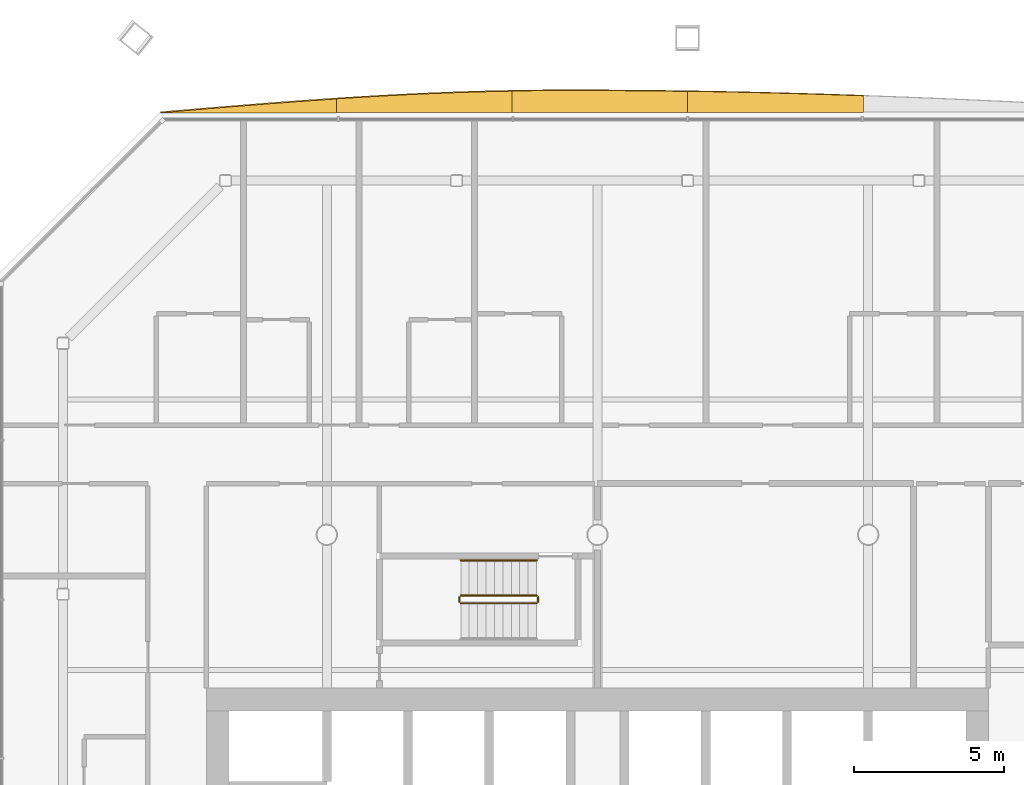
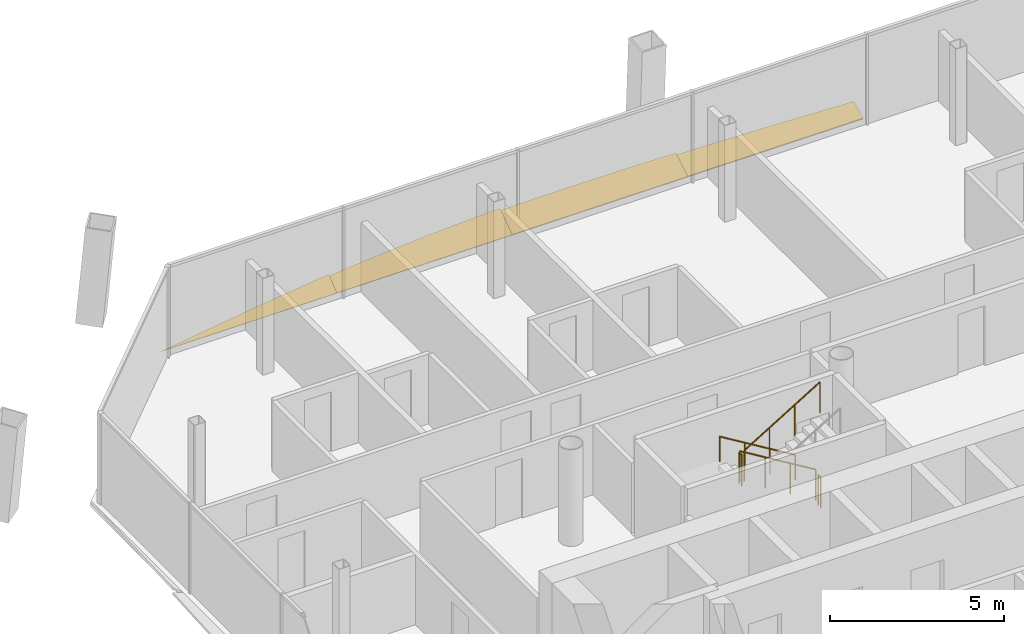
# One storey, part 20 of 21: 5 railings, 4 shading devices.
"""IFC4 building model written with IfcOpenShell, lengths in metres."""

from ifc_helpers import new_model, si_unit, direction, frame, origin, origin_2d, place, context, subcontext, project, spatial, polyline, circle, outline, extrude, material, layer, layer_set, type_object, element, save


model = new_model("IFC4")

# Units and contexts
model_context = context("Model", 3, precision=1e-05, world=origin(), true_north=direction((0.0, 1.0)))
body_context = subcontext(model_context, "Body", "Model", "MODEL_VIEW")
ifc_project = project(units=[si_unit("LENGTHUNIT", "METRE"), si_unit("AREAUNIT", "SQUARE_METRE"), si_unit("VOLUMEUNIT", "CUBIC_METRE"), si_unit("PLANEANGLEUNIT", "RADIAN"), si_unit("MASSUNIT", "GRAM", prefix="KILO")], contexts=[model_context])

# Site, building, storey
site_placement = place(None, origin())
site = spatial("IfcSite", under=ifc_project, at=site_placement, CompositionType="ELEMENT")
building_placement = place(site_placement, origin())
building = spatial("IfcBuilding", under=site, at=building_placement, Name="Tskaro Facet Tower", CompositionType="ELEMENT")
storey_placement = place(building_placement, frame((0.0, 0.0, 138.5)))
storey = spatial("IfcBuildingStorey", under=building, at=storey_placement, Name="L33", CompositionType="ELEMENT", Elevation=138.5)

# Shading devices
ifc_material_1 = material(Name="Bronze anodised aluminium 6063-T6", Category="aluminium")
ifc_layer = layer(ifc_material_1, 0.06005859375, Name="Bronze anodised aluminium 6063-T6")
ifc_layer_set = layer_set([ifc_layer], Name="Bronze anodised aluminium 6063-T6")
shading_device_type = type_object("IfcShadingDeviceType", Name="Bronze sun blade (FN1)", PredefinedType="USERDEFINED", material=ifc_layer_set)
shading_device_1_placement = place(storey_placement, frame((8.842041015625, 23.044677734375, 0.054443359375), z_axis=(1.2034221e-05, -0.422575113739, 0.90632790595), x_axis=(-0.999999999928, -5.085362e-06, 1.090695e-05)))
element("IfcShadingDevice", 1, at=shading_device_1_placement, inside=storey, type_object=shading_device_type, Name="Fin blade north 3", ObjectType="FIN", PredefinedType="USERDEFINED", context=body_context, shape_type="SweptSolid", body=[
    extrude(outline(polyline([(0.0, 0.0), (5.842041015201971, 4.94840121944535e-21), (5.842041015720188, -0.7717748541823389), (5.111816407230158, -0.758338422806001), (4.381591796779615, -0.7429404201901152), (3.651367186851644, -0.7251383034118224), (2.9211425788675336, -0.7052565116849376), (2.1906738270563832, -0.6836344201799347), (1.4604492178140736, -0.6599326537263395), (0.7302246092740803, -0.6343724837855818), (-1.2264269799116882e-09, -0.6068507426052762), (0.0, 0.0)])), origin(), (0.0, 0.0, -1.0), 0.06005859375),
])
shading_device_2_placement = place(storey_placement, frame((3.0, 23.0400390625, 0.052001953125), z_axis=(9.388693e-06, -0.499974788932, 0.866039958861), x_axis=(-0.999999999956, -4.69411e-06, 8.130983e-06)))
element("IfcShadingDevice", 2, at=shading_device_2_placement, inside=storey, type_object=shading_device_type, Name="Fin blade north 4", ObjectType="FIN", PredefinedType="USERDEFINED", context=body_context, shape_type="SweptSolid", body=[
    extrude(outline(polyline([(0.0, 0.0), (5.84204101536752, 0.0), (5.842041016397027, -0.8240703719768503), (5.111816406256786, -0.8364251395343263), (4.381591795522707, -0.8425414912343344), (3.9958496085718456, -0.8434199261597753), (3.651367187858051, -0.8432084906229347), (2.920898438278935, -0.8406952500040714), (2.1906738274214517, -0.836091639840026), (1.460449218937761, -0.8290968532145768), (0.7302246088576564, -0.8194667618128048), (5.3216308253841425e-12, -0.8076569294864695), (0.0, 0.0)])), origin(), (0.0, 0.0, -1.0), 0.06005859375),
])
shading_device_3_placement = place(storey_placement, frame((-2.842041015625, 23.03564453125, 0.049072265625), z_axis=(1.0762803e-05, -0.57368265212, 0.819077660873), x_axis=(-0.999999999942, -6.174434e-06, 8.815572e-06)))
element("IfcShadingDevice", 3, at=shading_device_3_placement, inside=storey, type_object=shading_device_type, Name="Fin blade north 5", ObjectType="FIN", PredefinedType="USERDEFINED", context=body_context, shape_type="SweptSolid", body=[
    extrude(outline(polyline([(0.0, 0.0), (5.842041015286635, 0.0), (5.842041016034949, -0.5595218401192951), (5.1118164065383445, -0.6161440442968364), (4.381347655998382, -0.6685660742130461), (3.651123046527656, -0.7162479303625546), (2.9208984383638006, -0.7586496132399925), (2.1906738272023376, -0.7954910043628629), (1.4604492188551754, -0.8268522520816021), (0.7302246083730264, -0.8521132085404042), (-5.8444003270133e-10, -0.8712139628484573), (0.0, 0.0)])), origin(), (0.0, 0.0, -1.0), 0.06005859375),
])
shading_device_4_placement = place(storey_placement, frame((-8.68408203125, 23.031494140625, 0.0458984375), z_axis=(2.099893e-05, -0.642945789434, 0.765911686429), x_axis=(-0.99999999978, -1.3501174e-05, 1.6083326e-05)))
element("IfcShadingDevice", 4, at=shading_device_4_placement, inside=storey, type_object=shading_device_type, Name="Fin blade north 6", ObjectType="FIN", PredefinedType="USERDEFINED", context=body_context, shape_type="SweptSolid", body=[
    extrude(outline(polyline([(0.0, 0.0), (5.841796873712015, 0.0), (5.111572266927576, -0.08074294675020346), (4.381347655586134, -0.16098496496872988), (3.651123045649653, -0.2400081149950889), (2.9208984358573162, -0.3171244781397427), (2.1906738295053074, -0.3921470642448306), (1.4604492181100326, -0.46441797559176734), (0.7302246076334532, -0.5332192725200625), (-2.55483896973547e-09, -0.5982069956849474), (0.0, 0.0)])), origin(), (0.0, 0.0, -1.0), 0.06005859375),
])

# Railings
ifc_material_2 = material(Name="Stainless steel", Category="steel")
railing_type_1 = type_object("IfcRailingType", Name="RL-GUARD-1100", PredefinedType="GUARDRAIL", material=ifc_material_2)
railing_1_placement = place(storey_placement, frame((-2.02490234375, 6.97509765625, 0.169921875)))
element("IfcRailing", 5, at=railing_1_placement, inside=storey, type_object=railing_type_1, Name="L33 ST-3 stair guard 1", PredefinedType="GUARDRAIL", context=body_context, shape_type="SweptSolid", body=[
    extrude(circle(Radius=0.02392578125, at=origin_2d()), frame((0.0, 0.0, 1.076171875), z_axis=(-0.85478489116, 0.0, 0.518982456201), x_axis=(0.0, -1.0, 0.0)), (0.0, 0.0, 1.0), 2.9482421875),
    extrude(circle(Radius=0.02099609375, at=origin_2d()), origin(), (0.0, 0.0, 1.0), 1.052001953125),
    extrude(circle(Radius=0.02099609375, at=origin_2d()), frame((-0.840087890625, 0.0, 0.510009765625)), (0.0, 0.0, 1.0), 1.052001953125),
    extrude(circle(Radius=0.02099609375, at=origin_2d()), frame((-1.679931640625, 0.0, 1.02001953125)), (0.0, 0.0, 1.0), 1.052001953125),
    extrude(circle(Radius=0.02099609375, at=origin_2d()), frame((-2.52001953125, 0.0, 1.530029296875)), (0.0, 0.0, 1.0), 1.052001953125),
])
railing_2_placement = place(storey_placement, frame((-4.594970703125, 6.925048828125, 1.699951171875)))
element("IfcRailing", 6, at=railing_2_placement, inside=storey, type_object=railing_type_1, Name="L33 ST-3 stair guard 2", PredefinedType="GUARDRAIL", context=body_context, shape_type="SweptSolid", body=[
    extrude(circle(Radius=0.02392578125, at=origin_2d()), frame((0.0, 0.0, 1.076171875), z_axis=(0.0, -1.0, 0.0), x_axis=(1.0, 0.0, 0.0)), (0.0, 0.0, 1.0), 0.150146484375),
    extrude(circle(Radius=0.02099609375, at=origin_2d()), origin(), (0.0, 0.0, 1.0), 1.052001953125),
    extrude(circle(Radius=0.02099609375, at=origin_2d()), frame((0.0, -0.150146484375, 0.0)), (0.0, 0.0, 1.0), 1.052001953125),
])
railing_3_placement = place(storey_placement, frame((-4.544921875, 6.72509765625, 1.8701171875)))
element("IfcRailing", 7, at=railing_3_placement, inside=storey, type_object=railing_type_1, Name="L33 ST-3 stair guard 3", PredefinedType="GUARDRAIL", context=body_context, shape_type="SweptSolid", body=[
    extrude(circle(Radius=0.02392578125, at=origin_2d()), frame((0.0, 0.0, 1.076171875), z_axis=(0.854821627497, 0.0, 0.518921945155), x_axis=(0.0, 1.0, 0.0)), (0.0, 0.0, 1.0), 2.947998046875),
    extrude(circle(Radius=0.02099609375, at=origin_2d()), origin(), (0.0, 0.0, 1.0), 1.052001953125),
    extrude(circle(Radius=0.02099609375, at=origin_2d()), frame((0.840087890625, 0.0, 0.510009765625)), (0.0, 0.0, 1.0), 1.052001953125),
    extrude(circle(Radius=0.02099609375, at=origin_2d()), frame((1.679931640625, 0.0, 1.019775390625)), (0.0, 0.0, 1.0), 1.052001953125),
    extrude(circle(Radius=0.02099609375, at=origin_2d()), frame((2.52001953125, 0.0, 1.52978515625)), (0.0, 0.0, 1.0), 1.052001953125),
])
railing_4_placement = place(storey_placement, frame((-1.97509765625, 6.925048828125, 0.0)))
element("IfcRailing", 8, at=railing_4_placement, inside=storey, type_object=railing_type_1, Name="L33 ST-3 stair guard 4", PredefinedType="GUARDRAIL", context=body_context, shape_type="SweptSolid", body=[
    extrude(circle(Radius=0.02392578125, at=origin_2d()), frame((0.0, 0.0, 1.076171875), z_axis=(0.0, -1.0, 0.0), x_axis=(1.0, 0.0, 0.0)), (0.0, 0.0, 1.0), 0.150146484375),
    extrude(circle(Radius=0.02099609375, at=origin_2d()), origin(), (0.0, 0.0, 1.0), 1.052001953125),
    extrude(circle(Radius=0.02099609375, at=origin_2d()), frame((0.0, -0.150146484375, 0.0)), (0.0, 0.0, 1.0), 1.052001953125),
])
railing_type_2 = type_object("IfcRailingType", Name="RL-HANDRAIL-900", PredefinedType="HANDRAIL", material=ifc_material_2)
railing_5_placement = place(storey_placement, frame((-2.02490234375, 8.14990234375, 0.169921875)))
element("IfcRailing", 9, at=railing_5_placement, inside=storey, type_object=railing_type_2, Name="L33 ST-3 stair handrail 1", PredefinedType="HANDRAIL", context=body_context, shape_type="SweptSolid", body=[
    extrude(circle(Radius=0.02392578125, at=origin_2d()), frame((0.0, 0.0, 0.8759765625), z_axis=(-0.85478489116, 0.0, 0.518982456201), x_axis=(0.0, -1.0, 0.0)), (0.0, 0.0, 1.0), 2.9482421875),
    extrude(circle(Radius=0.02099609375, at=origin_2d()), origin(), (0.0, 0.0, 1.0), 0.851806640625),
    extrude(circle(Radius=0.02099609375, at=origin_2d()), frame((-0.840087890625, 0.0, 0.510009765625)), (0.0, 0.0, 1.0), 0.851806640625),
    extrude(circle(Radius=0.02099609375, at=origin_2d()), frame((-1.679931640625, 0.0, 1.02001953125)), (0.0, 0.0, 1.0), 0.851806640625),
    extrude(circle(Radius=0.02099609375, at=origin_2d()), frame((-2.52001953125, 0.0, 1.530029296875)), (0.0, 0.0, 1.0), 0.851806640625),
])

save(model, "model.ifc")
